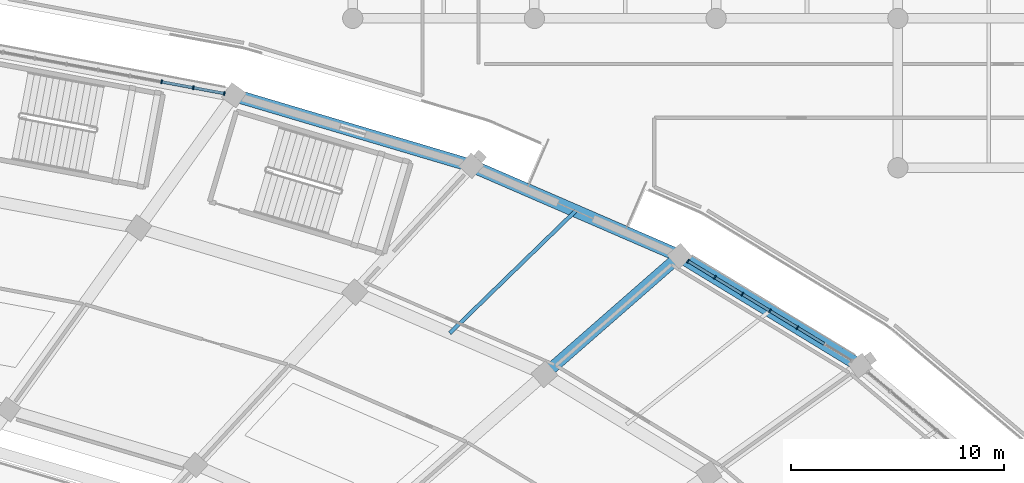
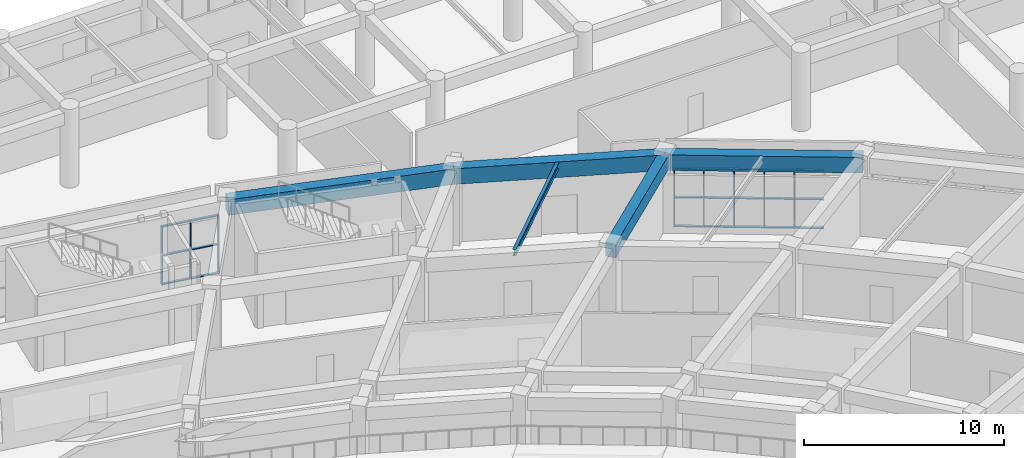
# One storey, part 72 of 152: 29 members, 5 beams, 2 elements without a shape of their own.
"""IFC4 building model written with IfcOpenShell, lengths in metres."""

from ifc_helpers import new_model, si_unit, direction, frame, origin, origin_2d, place, context, subcontext, project, spatial, rectangle, i_section, extrude, material, layer, layer_set, material_profile, profile_set, type_object, element, aggregate, save


model = new_model("IFC4")

# Units and contexts
model_context = context("Model", 3, precision=1e-05, world=origin(), true_north=direction((0.0, 1.0)))
body_context = subcontext(model_context, "Body", "Model", "MODEL_VIEW")
ifc_project = project(units=[si_unit("LENGTHUNIT", "METRE"), si_unit("AREAUNIT", "SQUARE_METRE"), si_unit("VOLUMEUNIT", "CUBIC_METRE"), si_unit("PLANEANGLEUNIT", "RADIAN"), si_unit("MASSUNIT", "GRAM", prefix="KILO")], contexts=[model_context])

# Site, building, storey
site_placement = place(None, origin())
site = spatial("IfcSite", under=ifc_project, at=site_placement, CompositionType="ELEMENT")
building_placement = place(site_placement, origin())
building = spatial("IfcBuilding", under=site, at=building_placement, Name="Mphavela Belvedere Stadium", CompositionType="ELEMENT")
storey_placement = place(building_placement, frame((0.0, 0.0, 5.39990234375)))
storey = spatial("IfcBuildingStorey", under=building, at=storey_placement, Name="L01", CompositionType="ELEMENT", Elevation=5.39990234375)

# Beams
ifc_material_1 = material(Name="Concrete C40/50", Category="concrete")
ifc_material_profile_1 = material_profile(ifc_material_1, rectangle(XDim=0.60009765625, YDim=0.949951171875, at=origin_2d()), Name="RC 600x950")
ifc_profile_set_1 = profile_set([ifc_material_profile_1], Name="Concrete C40/50")
beam_type_1 = type_object("IfcBeamType", Name="BM-ENTABLATURE-950", PredefinedType="SPANDREL", material=ifc_profile_set_1)
beam_1_placement = place(storey_placement, frame((194.155517578125, 143.714599609375, 4.0751953125), z_axis=(-0.854326607994, 0.51973651678, 0.0), x_axis=(-0.51973651678, -0.854326607994, 0.0)))
element("IfcBeam", 1, at=beam_1_placement, inside=storey, type_object=beam_type_1, Name="Circumferential girder L01 R4-07", PredefinedType="SPANDREL", context=body_context, shape_type="SweptSolid", body=[
    extrude(rectangle(XDim=0.60009765625, YDim=0.949951171875, at=origin_2d()), origin(), (0.0, 0.0, 1.0), 9.901611328125),
])
beam_2_placement = place(storey_placement, frame((185.6962890625, 148.86083984375, 4.0751953125), z_axis=(-0.91749867224, 0.397738842004, 0.0), x_axis=(-0.397738842004, -0.91749867224, 0.0)))
element("IfcBeam", 2, at=beam_2_placement, inside=storey, type_object=beam_type_1, Name="Circumferential girder L01 R4-08", PredefinedType="SPANDREL", context=body_context, shape_type="SweptSolid", body=[
    extrude(rectangle(XDim=0.60009765625, YDim=0.949951171875, at=origin_2d()), origin(), (0.0, 0.0, 1.0), 10.63623046875),
])
beam_3_placement = place(storey_placement, frame((175.9375, 153.09130859375, 4.0751953125), z_axis=(-0.958656362639, 0.284566298727, 0.0), x_axis=(-0.284566298727, -0.958656362639, 0.0)))
element("IfcBeam", 3, at=beam_3_placement, inside=storey, type_object=beam_type_1, Name="Circumferential girder L01 R4-09", PredefinedType="SPANDREL", context=body_context, shape_type="SweptSolid", body=[
    extrude(rectangle(XDim=0.60009765625, YDim=0.949951171875, at=origin_2d()), origin(), (0.0, 0.0, 1.0), 11.616455078125),
])
ifc_material_2 = material(Name="Steel S355", Category="steel")
ifc_material_profile_2 = material_profile(ifc_material_2, i_section(OverallWidth=0.179931640625, OverallDepth=0.39990234375, WebThickness=0.008544921875, FlangeThickness=0.013427734375, at=origin_2d()), Name="IPE 400")
ifc_profile_set_2 = profile_set([ifc_material_profile_2], Name="Steel S355")
beam_type_2 = type_object("IfcBeamType", Name="BM-JOIST-IPE400", PredefinedType="JOIST", material=ifc_profile_set_2)
beam_4_placement = place(storey_placement, frame((174.918212890625, 145.242431640625, 4.35009765625), z_axis=(0.717067022089, 0.697004222249, 0.0), x_axis=(-0.697004222249, 0.717067022089, 0.0)))
element("IfcBeam", 4, at=beam_4_placement, inside=storey, type_object=beam_type_2, Name="Concourse floor joist L01-08", PredefinedType="JOIST", context=body_context, shape_type="SweptSolid", body=[
    extrude(i_section(OverallWidth=0.179931640625, OverallDepth=0.39990234375, WebThickness=0.008544921875, FlangeThickness=0.013427734375, at=origin_2d()), origin(), (0.0, 0.0, 1.0), 8.22607421875),
])
ifc_material_3 = material(Name="Concrete C40/50", Category="concrete")
ifc_material_profile_3 = material_profile(ifc_material_3, rectangle(XDim=0.550048828125, YDim=0.85009765625, at=origin_2d()), Name="RC 550x850")
ifc_profile_set_3 = profile_set([ifc_material_profile_3], Name="Concrete C40/50")
beam_type_3 = type_object("IfcBeamType", Name="BM-RC550x850", PredefinedType="BEAM", material=ifc_profile_set_3)
beam_5_placement = place(storey_placement, frame((179.360107421875, 143.31689453125, 4.125), z_axis=(0.752589268993, 0.658490236978, 0.0), x_axis=(-0.658490236978, 0.752589268993, 0.0)))
element("IfcBeam", 5, at=beam_5_placement, inside=storey, type_object=beam_type_3, Name="Radial concourse girder L01 R3R4-08", PredefinedType="BEAM", context=body_context, shape_type="SweptSolid", body=[
    extrude(rectangle(XDim=0.550048828125, YDim=0.85009765625, at=origin_2d()), origin(), (0.0, 0.0, 1.0), 8.419189453125),
])

# Curtain wall, members
ifc_material_4 = material(Name="Anodised bronze unitised curtain wall framing")
ifc_layer_1 = layer(ifc_material_4, 0.195068359375)
ifc_layer_set_1 = layer_set([ifc_layer_1], Name="Anodised bronze unitised curtain wall framing")
curtain_wall_type_1 = type_object("IfcCurtainWallType", Name="CW-UNIT-04", PredefinedType="USERDEFINED", material=ifc_layer_set_1)
curtain_wall_1_placement = place(storey_placement, origin())
curtain_wall_1 = element("IfcCurtainWall", 6, at=curtain_wall_1_placement, inside=storey, type_object=curtain_wall_type_1, Name="Belvedere colonnade curtain wall L01-07", ObjectType="UNITISED CURTAIN WALL", PredefinedType="USERDEFINED")
ifc_material_5 = material(Name="Anodised bronze extruded aluminium", Category="aluminium")
ifc_material_profile_4 = material_profile(ifc_material_5, rectangle(XDim=0.179931640625, YDim=0.06494140625, at=origin_2d()), Name="CW-MUL 180x65")
ifc_profile_set_4 = profile_set([ifc_material_profile_4], Name="Anodised bronze extruded aluminium")
member_type_1 = type_object("IfcMemberType", Name="CWM-180x65", PredefinedType="MULLION", material=ifc_profile_set_4)
member_1_placement = place(storey_placement, frame((191.21533203125, 145.503173828125, 0.0), z_axis=(0.0, 0.0, 1.0), x_axis=(-0.51973463728, -0.8543277514, 0.0)))
member_1 = element("IfcMember", 7, at=member_1_placement, type_object=member_type_1, Name="CW-04 mullion 3", PredefinedType="MULLION", context=body_context, shape_type="SweptSolid", body=[
    extrude(rectangle(XDim=0.179931640625, YDim=0.06494140625, at=origin_2d()), origin(), (0.0, 0.0, 1.0), 3.570068359375),
])
member_2_placement = place(storey_placement, frame((189.92578125, 146.28759765625, 0.0), z_axis=(0.0, 0.0, 1.0), x_axis=(-0.51973463728, -0.8543277514, 0.0)))
member_2 = element("IfcMember", 8, at=member_2_placement, type_object=member_type_1, Name="CW-04 mullion 4", PredefinedType="MULLION", context=body_context, shape_type="SweptSolid", body=[
    extrude(rectangle(XDim=0.179931640625, YDim=0.06494140625, at=origin_2d()), origin(), (0.0, 0.0, 1.0), 3.570068359375),
])
member_3_placement = place(storey_placement, frame((188.636474609375, 147.072021484375, 0.0), z_axis=(0.0, 0.0, 1.0), x_axis=(-0.51973463728, -0.8543277514, 0.0)))
member_3 = element("IfcMember", 9, at=member_3_placement, type_object=member_type_1, Name="CW-04 mullion 5", PredefinedType="MULLION", context=body_context, shape_type="SweptSolid", body=[
    extrude(rectangle(XDim=0.179931640625, YDim=0.06494140625, at=origin_2d()), origin(), (0.0, 0.0, 1.0), 3.570068359375),
])
member_4_placement = place(storey_placement, frame((187.346923828125, 147.8564453125, 0.0), z_axis=(0.0, 0.0, 1.0), x_axis=(-0.51973463728, -0.8543277514, 0.0)))
member_4 = element("IfcMember", 10, at=member_4_placement, type_object=member_type_1, Name="CW-04 mullion 6", PredefinedType="MULLION", context=body_context, shape_type="SweptSolid", body=[
    extrude(rectangle(XDim=0.179931640625, YDim=0.06494140625, at=origin_2d()), origin(), (0.0, 0.0, 1.0), 3.570068359375),
])
member_5_placement = place(storey_placement, frame((186.08544921875, 148.6240234375, 0.0), z_axis=(0.0, 0.0, 1.0), x_axis=(-0.51973463728, -0.8543277514, 0.0)))
member_5 = element("IfcMember", 11, at=member_5_placement, type_object=member_type_1, Name="CW-04 mullion 7", PredefinedType="MULLION", context=body_context, shape_type="SweptSolid", body=[
    extrude(rectangle(XDim=0.179931640625, YDim=0.06494140625, at=origin_2d()), origin(), (0.0, 0.0, 1.0), 3.570068359375),
])

ifc_material_6 = material(Name="Anodised bronze unitised curtain wall framing")
ifc_layer_2 = layer(ifc_material_6, 0.199951171875)
ifc_layer_set_2 = layer_set([ifc_layer_2], Name="Anodised bronze unitised curtain wall framing")
curtain_wall_type_2 = type_object("IfcCurtainWallType", Name="CW-UNIT-05", PredefinedType="USERDEFINED", material=ifc_layer_set_2)
curtain_wall_2_placement = place(storey_placement, origin())
curtain_wall_2 = element("IfcCurtainWall", 12, at=curtain_wall_2_placement, inside=storey, type_object=curtain_wall_type_2, Name="Belvedere colonnade curtain wall L01-10", ObjectType="UNITISED CURTAIN WALL", PredefinedType="USERDEFINED")
member_6_placement = place(storey_placement, frame((164.353515625, 156.480224609375, 0.0), z_axis=(0.0, 0.0, 1.0), x_axis=(-0.18309495886, -0.983095232437, 0.0)))
member_6 = element("IfcMember", 13, at=member_6_placement, type_object=member_type_1, Name="CW-05 mullion 1", PredefinedType="MULLION", context=body_context, shape_type="SweptSolid", body=[
    extrude(rectangle(XDim=0.179931640625, YDim=0.06494140625, at=origin_2d()), origin(), (0.0, 0.0, 1.0), 3.570068359375),
])
member_7_placement = place(storey_placement, frame((162.898193359375, 156.751220703125, 0.0), z_axis=(0.0, 0.0, 1.0), x_axis=(-0.18309495886, -0.983095232437, 0.0)))
member_7 = element("IfcMember", 14, at=member_7_placement, type_object=member_type_1, Name="CW-05 mullion 2", PredefinedType="MULLION", context=body_context, shape_type="SweptSolid", body=[
    extrude(rectangle(XDim=0.179931640625, YDim=0.06494140625, at=origin_2d()), origin(), (0.0, 0.0, 1.0), 3.570068359375),
])
member_8_placement = place(storey_placement, frame((161.4111328125, 157.0283203125, 0.0), z_axis=(0.0, 0.0, 1.0), x_axis=(-0.18309495886, -0.983095232437, 0.0)))
member_8 = element("IfcMember", 15, at=member_8_placement, type_object=member_type_1, Name="CW-05 mullion 3", PredefinedType="MULLION", context=body_context, shape_type="SweptSolid", body=[
    extrude(rectangle(XDim=0.179931640625, YDim=0.06494140625, at=origin_2d()), origin(), (0.0, 0.0, 1.0), 3.570068359375),
])

# Member
ifc_material_7 = material(Name="Anodised bronze extruded aluminium", Category="aluminium")
ifc_material_profile_5 = material_profile(ifc_material_7, rectangle(XDim=0.139892578125, YDim=0.06005859375, at=origin_2d()), Name="CW-TRN 140x60")
ifc_profile_set_5 = profile_set([ifc_material_profile_5], Name="Anodised bronze extruded aluminium")
member_type_2 = type_object("IfcMemberType", Name="CWT-140x60", PredefinedType="USERDEFINED", material=ifc_profile_set_5)
member_9_placement = place(storey_placement, frame((192.47705078125, 144.73583984375, 0.030029296875), z_axis=(-0.85437478406, 0.519657318203, 0.0), x_axis=(-0.519657318203, -0.85437478406, 0.0)))
member_9 = element("IfcMember", 16, at=member_9_placement, type_object=member_type_2, Name="CW-04 transom 2.1", ObjectType="TRANSOM", PredefinedType="USERDEFINED", context=body_context, shape_type="SweptSolid", body=[
    extrude(rectangle(XDim=0.139892578125, YDim=0.06005859375, at=origin_2d()), origin(), (0.0, 0.0, 1.0), 1.444091796875),
])

member_10_placement = place(storey_placement, frame((192.47705078125, 144.73583984375, 1.78515625), z_axis=(-0.85437478406, 0.519657318203, 0.0), x_axis=(-0.519657318203, -0.85437478406, 0.0)))
member_10 = element("IfcMember", 17, at=member_10_placement, type_object=member_type_2, Name="CW-04 transom 2.2", ObjectType="TRANSOM", PredefinedType="USERDEFINED", context=body_context, shape_type="SweptSolid", body=[
    extrude(rectangle(XDim=0.139892578125, YDim=0.06005859375, at=origin_2d()), origin(), (0.0, 0.0, 1.0), 1.444091796875),
])

member_11_placement = place(storey_placement, frame((192.47705078125, 144.73583984375, 3.5400390625), z_axis=(-0.85437478406, 0.519657318203, 0.0), x_axis=(-0.519657318203, -0.85437478406, 0.0)))
member_11 = element("IfcMember", 18, at=member_11_placement, type_object=member_type_2, Name="CW-04 transom 2.3", ObjectType="TRANSOM", PredefinedType="USERDEFINED", context=body_context, shape_type="SweptSolid", body=[
    extrude(rectangle(XDim=0.139892578125, YDim=0.06005859375, at=origin_2d()), origin(), (0.0, 0.0, 1.0), 1.444091796875),
])

member_12_placement = place(storey_placement, frame((191.1875, 145.520263671875, 0.030029296875), z_axis=(-0.85437478406, 0.519657318203, 0.0), x_axis=(-0.519657318203, -0.85437478406, 0.0)))
member_12 = element("IfcMember", 19, at=member_12_placement, type_object=member_type_2, Name="CW-04 transom 3.1", ObjectType="TRANSOM", PredefinedType="USERDEFINED", context=body_context, shape_type="SweptSolid", body=[
    extrude(rectangle(XDim=0.139892578125, YDim=0.06005859375, at=origin_2d()), origin(), (0.0, 0.0, 1.0), 1.444091796875),
])

member_13_placement = place(storey_placement, frame((191.1875, 145.520263671875, 1.78515625), z_axis=(-0.85437478406, 0.519657318203, 0.0), x_axis=(-0.519657318203, -0.85437478406, 0.0)))
member_13 = element("IfcMember", 20, at=member_13_placement, type_object=member_type_2, Name="CW-04 transom 3.2", ObjectType="TRANSOM", PredefinedType="USERDEFINED", context=body_context, shape_type="SweptSolid", body=[
    extrude(rectangle(XDim=0.139892578125, YDim=0.06005859375, at=origin_2d()), origin(), (0.0, 0.0, 1.0), 1.444091796875),
])

member_14_placement = place(storey_placement, frame((191.1875, 145.520263671875, 3.5400390625), z_axis=(-0.85437478406, 0.519657318203, 0.0), x_axis=(-0.519657318203, -0.85437478406, 0.0)))
member_14 = element("IfcMember", 21, at=member_14_placement, type_object=member_type_2, Name="CW-04 transom 3.3", ObjectType="TRANSOM", PredefinedType="USERDEFINED", context=body_context, shape_type="SweptSolid", body=[
    extrude(rectangle(XDim=0.139892578125, YDim=0.06005859375, at=origin_2d()), origin(), (0.0, 0.0, 1.0), 1.444091796875),
])

member_15_placement = place(storey_placement, frame((189.898193359375, 146.3046875, 0.030029296875), z_axis=(-0.85437478406, 0.519657318203, 0.0), x_axis=(-0.519657318203, -0.85437478406, 0.0)))
member_15 = element("IfcMember", 22, at=member_15_placement, type_object=member_type_2, Name="CW-04 transom 4.1", ObjectType="TRANSOM", PredefinedType="USERDEFINED", context=body_context, shape_type="SweptSolid", body=[
    extrude(rectangle(XDim=0.139892578125, YDim=0.06005859375, at=origin_2d()), origin(), (0.0, 0.0, 1.0), 1.444091796875),
])

member_16_placement = place(storey_placement, frame((189.898193359375, 146.3046875, 1.78515625), z_axis=(-0.85437478406, 0.519657318203, 0.0), x_axis=(-0.519657318203, -0.85437478406, 0.0)))
member_16 = element("IfcMember", 23, at=member_16_placement, type_object=member_type_2, Name="CW-04 transom 4.2", ObjectType="TRANSOM", PredefinedType="USERDEFINED", context=body_context, shape_type="SweptSolid", body=[
    extrude(rectangle(XDim=0.139892578125, YDim=0.06005859375, at=origin_2d()), origin(), (0.0, 0.0, 1.0), 1.444091796875),
])

member_17_placement = place(storey_placement, frame((189.898193359375, 146.3046875, 3.5400390625), z_axis=(-0.85437478406, 0.519657318203, 0.0), x_axis=(-0.519657318203, -0.85437478406, 0.0)))
member_17 = element("IfcMember", 24, at=member_17_placement, type_object=member_type_2, Name="CW-04 transom 4.3", ObjectType="TRANSOM", PredefinedType="USERDEFINED", context=body_context, shape_type="SweptSolid", body=[
    extrude(rectangle(XDim=0.139892578125, YDim=0.06005859375, at=origin_2d()), origin(), (0.0, 0.0, 1.0), 1.444091796875),
])

member_18_placement = place(storey_placement, frame((188.608642578125, 147.089111328125, 0.030029296875), z_axis=(-0.85437478406, 0.519657318203, 0.0), x_axis=(-0.519657318203, -0.85437478406, 0.0)))
member_18 = element("IfcMember", 25, at=member_18_placement, type_object=member_type_2, Name="CW-04 transom 5.1", ObjectType="TRANSOM", PredefinedType="USERDEFINED", context=body_context, shape_type="SweptSolid", body=[
    extrude(rectangle(XDim=0.139892578125, YDim=0.06005859375, at=origin_2d()), origin(), (0.0, 0.0, 1.0), 1.444091796875),
])

member_19_placement = place(storey_placement, frame((188.608642578125, 147.089111328125, 1.78515625), z_axis=(-0.85437478406, 0.519657318203, 0.0), x_axis=(-0.519657318203, -0.85437478406, 0.0)))
member_19 = element("IfcMember", 26, at=member_19_placement, type_object=member_type_2, Name="CW-04 transom 5.2", ObjectType="TRANSOM", PredefinedType="USERDEFINED", context=body_context, shape_type="SweptSolid", body=[
    extrude(rectangle(XDim=0.139892578125, YDim=0.06005859375, at=origin_2d()), origin(), (0.0, 0.0, 1.0), 1.444091796875),
])

member_20_placement = place(storey_placement, frame((188.608642578125, 147.089111328125, 3.5400390625), z_axis=(-0.85437478406, 0.519657318203, 0.0), x_axis=(-0.519657318203, -0.85437478406, 0.0)))
member_20 = element("IfcMember", 27, at=member_20_placement, type_object=member_type_2, Name="CW-04 transom 5.3", ObjectType="TRANSOM", PredefinedType="USERDEFINED", context=body_context, shape_type="SweptSolid", body=[
    extrude(rectangle(XDim=0.139892578125, YDim=0.06005859375, at=origin_2d()), origin(), (0.0, 0.0, 1.0), 1.444091796875),
])

member_21_placement = place(storey_placement, frame((187.3193359375, 147.87353515625, 0.030029296875), z_axis=(-0.854395503331, 0.519623251874, 0.0), x_axis=(-0.519623251874, -0.854395503331, 0.0)))
member_21 = element("IfcMember", 28, at=member_21_placement, type_object=member_type_2, Name="CW-04 transom 6.1", ObjectType="TRANSOM", PredefinedType="USERDEFINED", context=body_context, shape_type="SweptSolid", body=[
    extrude(rectangle(XDim=0.139892578125, YDim=0.06005859375, at=origin_2d()), origin(), (0.0, 0.0, 1.0), 1.411865234375),
])

member_22_placement = place(storey_placement, frame((187.3193359375, 147.87353515625, 1.78515625), z_axis=(-0.854395503331, 0.519623251874, 0.0), x_axis=(-0.519623251874, -0.854395503331, 0.0)))
member_22 = element("IfcMember", 29, at=member_22_placement, type_object=member_type_2, Name="CW-04 transom 6.2", ObjectType="TRANSOM", PredefinedType="USERDEFINED", context=body_context, shape_type="SweptSolid", body=[
    extrude(rectangle(XDim=0.139892578125, YDim=0.06005859375, at=origin_2d()), origin(), (0.0, 0.0, 1.0), 1.411865234375),
])

member_23_placement = place(storey_placement, frame((187.3193359375, 147.87353515625, 3.5400390625), z_axis=(-0.854395503331, 0.519623251874, 0.0), x_axis=(-0.519623251874, -0.854395503331, 0.0)))
member_23 = element("IfcMember", 30, at=member_23_placement, type_object=member_type_2, Name="CW-04 transom 6.3", ObjectType="TRANSOM", PredefinedType="USERDEFINED", context=body_context, shape_type="SweptSolid", body=[
    extrude(rectangle(XDim=0.139892578125, YDim=0.06005859375, at=origin_2d()), origin(), (0.0, 0.0, 1.0), 1.411865234375),
])

aggregate(curtain_wall_1, [member_1, member_2, member_3, member_4, member_5, member_9, member_10, member_11, member_12, member_13, member_14, member_15, member_16, member_17, member_18, member_19, member_20, member_21, member_22, member_23])

member_24_placement = place(storey_placement, frame((164.321533203125, 156.486083984375, 0.030029296875), z_axis=(-0.983076625538, 0.183194837045, 0.0), x_axis=(-0.183194837045, -0.983076625538, 0.0)))
member_24 = element("IfcMember", 31, at=member_24_placement, type_object=member_type_2, Name="CW-05 transom 1.1", ObjectType="TRANSOM", PredefinedType="USERDEFINED", context=body_context, shape_type="SweptSolid", body=[
    extrude(rectangle(XDim=0.139892578125, YDim=0.06005859375, at=origin_2d()), origin(), (0.0, 0.0, 1.0), 1.415283203125),
])

member_25_placement = place(storey_placement, frame((164.321533203125, 156.486083984375, 1.78515625), z_axis=(-0.983076625538, 0.183194837045, 0.0), x_axis=(-0.183194837045, -0.983076625538, 0.0)))
member_25 = element("IfcMember", 32, at=member_25_placement, type_object=member_type_2, Name="CW-05 transom 1.2", ObjectType="TRANSOM", PredefinedType="USERDEFINED", context=body_context, shape_type="SweptSolid", body=[
    extrude(rectangle(XDim=0.139892578125, YDim=0.06005859375, at=origin_2d()), origin(), (0.0, 0.0, 1.0), 1.415283203125),
])

member_26_placement = place(storey_placement, frame((164.321533203125, 156.486083984375, 3.5400390625), z_axis=(-0.983076625538, 0.183194837045, 0.0), x_axis=(-0.183194837045, -0.983076625538, 0.0)))
member_26 = element("IfcMember", 33, at=member_26_placement, type_object=member_type_2, Name="CW-05 transom 1.3", ObjectType="TRANSOM", PredefinedType="USERDEFINED", context=body_context, shape_type="SweptSolid", body=[
    extrude(rectangle(XDim=0.139892578125, YDim=0.06005859375, at=origin_2d()), origin(), (0.0, 0.0, 1.0), 1.415283203125),
])

member_27_placement = place(storey_placement, frame((162.866455078125, 156.75732421875, 0.030029296875), z_axis=(-0.983119469828, 0.182964772687, 0.0), x_axis=(-0.182964772687, -0.983119469828, 0.0)))
member_27 = element("IfcMember", 34, at=member_27_placement, type_object=member_type_2, Name="CW-05 transom 2.1", ObjectType="TRANSOM", PredefinedType="USERDEFINED", context=body_context, shape_type="SweptSolid", body=[
    extrude(rectangle(XDim=0.139892578125, YDim=0.06005859375, at=origin_2d()), origin(), (0.0, 0.0, 1.0), 1.44775390625),
])

member_28_placement = place(storey_placement, frame((162.866455078125, 156.75732421875, 1.78515625), z_axis=(-0.983119469828, 0.182964772687, 0.0), x_axis=(-0.182964772687, -0.983119469828, 0.0)))
member_28 = element("IfcMember", 35, at=member_28_placement, type_object=member_type_2, Name="CW-05 transom 2.2", ObjectType="TRANSOM", PredefinedType="USERDEFINED", context=body_context, shape_type="SweptSolid", body=[
    extrude(rectangle(XDim=0.139892578125, YDim=0.06005859375, at=origin_2d()), origin(), (0.0, 0.0, 1.0), 1.44775390625),
])

member_29_placement = place(storey_placement, frame((162.866455078125, 156.75732421875, 3.5400390625), z_axis=(-0.983119469828, 0.182964772687, 0.0), x_axis=(-0.182964772687, -0.983119469828, 0.0)))
member_29 = element("IfcMember", 36, at=member_29_placement, type_object=member_type_2, Name="CW-05 transom 2.3", ObjectType="TRANSOM", PredefinedType="USERDEFINED", context=body_context, shape_type="SweptSolid", body=[
    extrude(rectangle(XDim=0.139892578125, YDim=0.06005859375, at=origin_2d()), origin(), (0.0, 0.0, 1.0), 1.44775390625),
])

aggregate(curtain_wall_2, [member_6, member_7, member_8, member_24, member_25, member_26, member_27, member_28, member_29])

save(model, "model.ifc")
